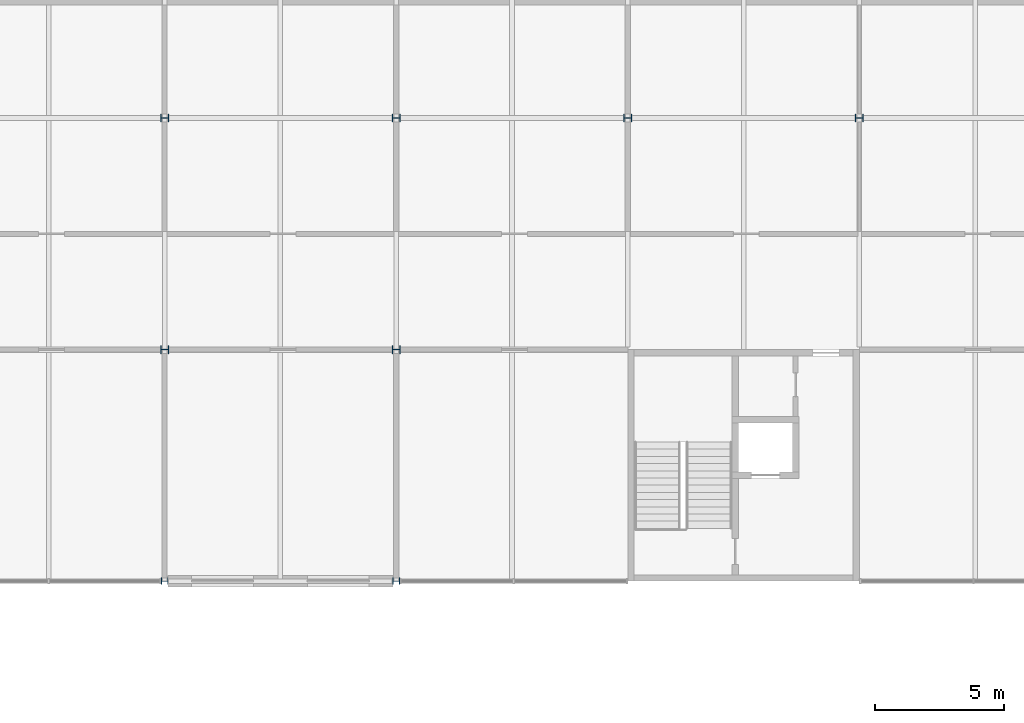
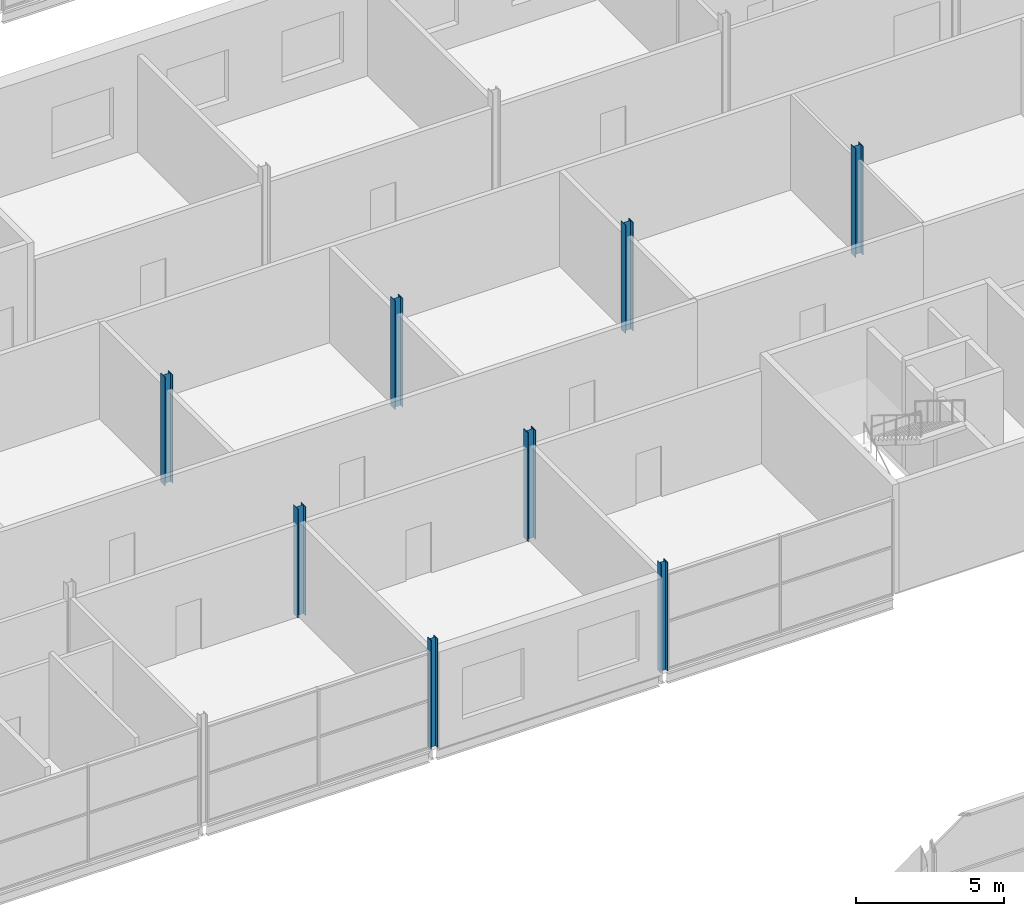
# One storey, part 6 of 97: 8 columns.
"""IFC4 building model written with IfcOpenShell, lengths in metres."""

from ifc_helpers import new_model, si_unit, direction, frame, origin, origin_2d, place, context, subcontext, project, spatial, i_section, extrude, material, material_profile, profile_set, type_object, element, save


model = new_model("IFC4")

# Units and contexts
model_context = context("Model", 3, precision=1e-05, world=origin(), true_north=direction((0.0, 1.0)))
body_context = subcontext(model_context, "Body", "Model", "MODEL_VIEW")
ifc_project = project(units=[si_unit("LENGTHUNIT", "METRE"), si_unit("AREAUNIT", "SQUARE_METRE"), si_unit("VOLUMEUNIT", "CUBIC_METRE"), si_unit("PLANEANGLEUNIT", "RADIAN"), si_unit("MASSUNIT", "GRAM", prefix="KILO")], contexts=[model_context])

# Site, building, storey
site_placement = place(None, origin())
site = spatial("IfcSite", under=ifc_project, at=site_placement, CompositionType="ELEMENT")
building_placement = place(site_placement, origin())
building = spatial("IfcBuilding", under=site, at=building_placement, Name="Corbel Yard City Hall", CompositionType="ELEMENT")
storey_placement = place(building_placement, frame((0.0, 0.0, 6.0)))
storey = spatial("IfcBuildingStorey", under=building, at=storey_placement, Name="L01", CompositionType="ELEMENT", Elevation=6.0)

# Columns
ifc_material = material(Name="Steel Grade 300 (300 MPa yield)", Category="steel")
ifc_material_profile_1 = material_profile(ifc_material, i_section(OverallWidth=0.256103515625, OverallDepth=0.260009765625, WebThickness=0.010498046875, FlangeThickness=0.017333984375, at=origin_2d()), Name="250UC89.5")
ifc_profile_set_1 = profile_set([ifc_material_profile_1], Name="Steel Grade 300 (300 MPa yield)")
column_type_1 = type_object("IfcColumnType", Name="Column 250UC89.5", PredefinedType="COLUMN", material=ifc_profile_set_1)
for number, where, z_axis, x_axis, name in (
    (1, (36.0, 45.0, 0.0), (0.0, 0.0, 1.0), (0.0, 1.0, 0.0), "Column 250UC89.5 F/5 L01"),
    (2, (45.0, 45.0, 0.0), (0.0, 0.0, 1.0), (0.0, 1.0, 0.0), "Column 250UC89.5 F/6 L01"),
):
    element("IfcColumn", number, at=place(storey_placement, frame(where, z_axis=z_axis, x_axis=x_axis)), inside=storey, type_object=column_type_1, Name=name, PredefinedType="COLUMN", context=body_context, shape_type="SweptSolid", body=[
        extrude(i_section(OverallWidth=0.256103515625, OverallDepth=0.260009765625, WebThickness=0.010498046875, FlangeThickness=0.017333984375, at=origin_2d()), origin(), (0.0, 0.0, 1.0), 4.5),
    ])
ifc_material_profile_2 = material_profile(ifc_material, i_section(OverallWidth=0.306884765625, OverallDepth=0.31494140625, WebThickness=0.011962890625, FlangeThickness=0.018798828125, at=origin_2d()), Name="310UC118")
ifc_profile_set_2 = profile_set([ifc_material_profile_2], Name="Steel Grade 300 (300 MPa yield)")
column_type_2 = type_object("IfcColumnType", Name="Column 310UC118", PredefinedType="COLUMN", material=ifc_profile_set_2)
for number, where, z_axis, x_axis, name in (
    (3, (36.0, 54.0, 0.0), (0.0, 0.0, 1.0), (0.0, 1.0, 0.0), "Column 310UC118 G/5 L01"),
    (4, (36.0, 63.0, 0.0), (0.0, 0.0, 1.0), (0.0, 1.0, 0.0), "Column 310UC118 H/5 L01"),
    (5, (45.0, 54.0, 0.0), (0.0, 0.0, 1.0), (0.0, 1.0, 0.0), "Column 310UC118 G/6 L01"),
    (6, (45.0, 63.0, 0.0), (0.0, 0.0, 1.0), (0.0, 1.0, 0.0), "Column 310UC118 H/6 L01"),
    (7, (54.0, 63.0, 0.0), (0.0, 0.0, 1.0), (0.0, 1.0, 0.0), "Column 310UC118 H/7 L01"),
    (8, (63.0, 63.0, 0.0), (0.0, 0.0, 1.0), (0.0, 1.0, 0.0), "Column 310UC118 H/8 L01"),
):
    element("IfcColumn", number, at=place(storey_placement, frame(where, z_axis=z_axis, x_axis=x_axis)), inside=storey, type_object=column_type_2, Name=name, PredefinedType="COLUMN", context=body_context, shape_type="SweptSolid", body=[
        extrude(i_section(OverallWidth=0.306884765625, OverallDepth=0.31494140625, WebThickness=0.011962890625, FlangeThickness=0.018798828125, at=origin_2d()), origin(), (0.0, 0.0, 1.0), 4.5),
    ])

save(model, "model.ifc")
